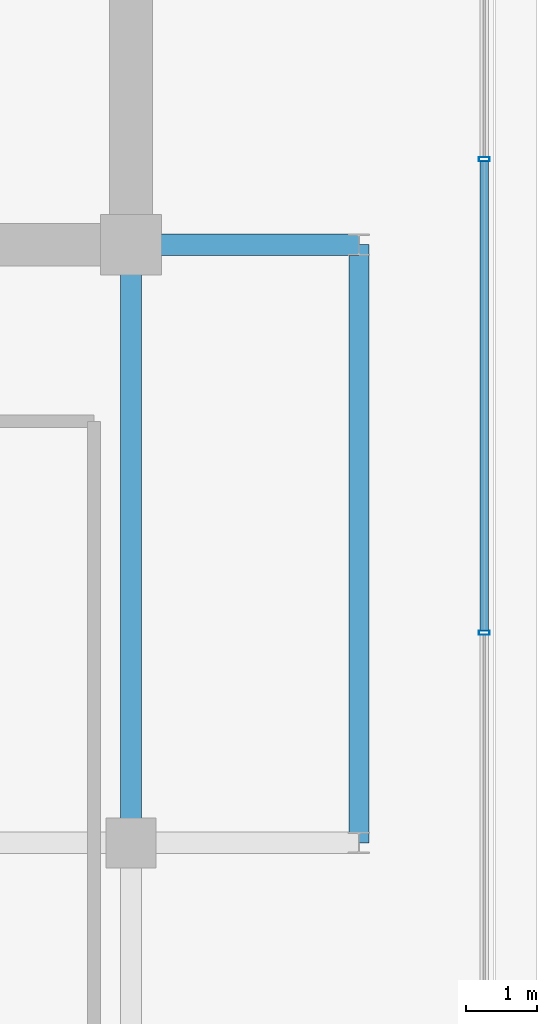
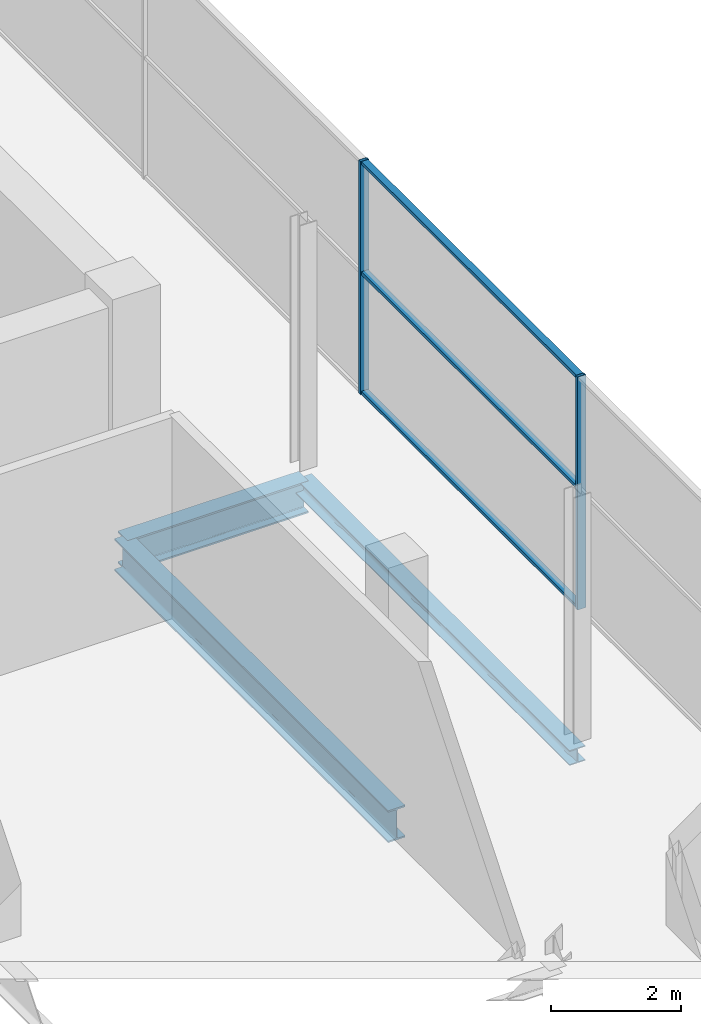
# One storey, part 16 of 26: 5 members, 3 beams, 1 element without a shape of its own.
"""IFC4 building model written with IfcOpenShell, lengths in metres."""

from ifc_helpers import new_model, si_unit, direction, frame, origin, origin_2d, place, context, subcontext, project, spatial, hollow_rectangle, i_section, extrude, source, transform, mapped, material, layer, layer_set, material_profile, profile_set, type_object, element, aggregate, save


model = new_model("IFC4")

# Units and contexts
model_context = context("Model", 3, precision=1e-05, world=origin(), true_north=direction((0.0, 1.0)))
body_context = subcontext(model_context, "Body", "Model", "MODEL_VIEW")
ifc_project = project(units=[si_unit("LENGTHUNIT", "METRE"), si_unit("AREAUNIT", "SQUARE_METRE"), si_unit("VOLUMEUNIT", "CUBIC_METRE"), si_unit("PLANEANGLEUNIT", "RADIAN"), si_unit("MASSUNIT", "GRAM", prefix="KILO")], contexts=[model_context])

# Site, building, storey
site_placement = place(None, origin())
site = spatial("IfcSite", under=ifc_project, at=site_placement, CompositionType="ELEMENT")
building_placement = place(site_placement, origin())
building = spatial("IfcBuilding", under=site, at=building_placement, Name="Zarnakvel Exchange Tower", CompositionType="ELEMENT")
storey_placement = place(building_placement, frame((0.0, 0.0, 280.800048828125)))
storey = spatial("IfcBuildingStorey", under=building, at=storey_placement, Name="Crown L79", CompositionType="ELEMENT", Elevation=280.800048828125)

# Beams
ifc_material_1 = material(Name="Steel S355", Category="steel")
ifc_material_profile_1 = material_profile(ifc_material_1, i_section(OverallWidth=0.300048828125, OverallDepth=0.60009765625, WebThickness=0.015380859375, FlangeThickness=0.030029296875, FilletRadius=0.027099609375, at=origin_2d()))
ifc_profile_set_1 = profile_set([ifc_material_profile_1], Name="Steel S355")
beam_type_1 = type_object("IfcBeamType", Name="G-04", PredefinedType="BEAM", material=ifc_profile_set_1)
beam_1_placement = place(storey_placement, frame((14.39990234375, -1.199951171875, -0.52001953125), z_axis=(1.0, 0.0, 0.0), x_axis=(0.0, 1.0, 0.0)))
element("IfcBeam", 1, at=beam_1_placement, inside=storey, type_object=beam_type_1, Name="Crown L79 Tower E-W Frame Beam", PredefinedType="BEAM", context=body_context, shape_type="SweptSolid", body=[
    extrude(i_section(OverallWidth=0.300048828125, OverallDepth=0.60009765625, WebThickness=0.015380859375, FlangeThickness=0.030029296875, FilletRadius=0.027099609375, at=origin_2d()), origin(), (0.0, 0.0, 1.0), 3.2001953125),
])
beam_2_placement = place(storey_placement, frame((14.39990234375, -9.60009765625, -0.52001953125), z_axis=(0.0, 1.0, 0.0), x_axis=(-1.0, 0.0, 0.0)))
element("IfcBeam", 2, at=beam_2_placement, inside=storey, type_object=beam_type_1, Name="Crown L79 Tower N-S Frame Beam", PredefinedType="BEAM", context=body_context, shape_type="SweptSolid", body=[
    extrude(i_section(OverallWidth=0.300048828125, OverallDepth=0.60009765625, WebThickness=0.015380859375, FlangeThickness=0.030029296875, FilletRadius=0.027099609375, at=origin_2d()), origin(), (0.0, 0.0, 1.0), 8.400146484375),
])
ifc_material_profile_2 = material_profile(ifc_material_1, i_section(OverallWidth=0.280029296875, OverallDepth=0.280029296875, WebThickness=0.010498046875, FlangeThickness=0.01806640625, FilletRadius=0.02392578125, at=origin_2d()))
ifc_profile_set_2 = profile_set([ifc_material_profile_2], Name="Steel S355")
beam_type_2 = type_object("IfcBeamType", Name="SP-04", PredefinedType="SPANDREL", material=ifc_profile_set_2)
beam_3_placement = place(storey_placement, frame((17.60009765625, -9.60009765625, -0.360107421875), z_axis=(0.0, 1.0, 0.0), x_axis=(-1.0, 0.0, 0.0)))
element("IfcBeam", 3, at=beam_3_placement, inside=storey, type_object=beam_type_2, Name="Crown L79 Tower N-S Frame Beam", PredefinedType="SPANDREL", context=body_context, shape_type="SweptSolid", body=[
    extrude(i_section(OverallWidth=0.280029296875, OverallDepth=0.280029296875, WebThickness=0.010498046875, FlangeThickness=0.01806640625, FilletRadius=0.02392578125, at=origin_2d()), origin(), (0.0, 0.0, 1.0), 8.400146484375),
])

# Curtain wall, members
ifc_material_2 = material(Name="Architectural Bronze Anodised Aluminium", Category="aluminium")
ifc_layer = layer(ifc_material_2, 0.14990234375)
ifc_layer_set = layer_set([ifc_layer], Name="Architectural Bronze Anodised Aluminium")
curtain_wall_type = type_object("IfcCurtainWallType", Name="CW-07", PredefinedType="NOTDEFINED", material=ifc_layer_set)
curtain_wall_placement = place(storey_placement, origin())
curtain_wall = element("IfcCurtainWall", 4, at=curtain_wall_placement, inside=storey, type_object=curtain_wall_type, Name="Crown L79 Curtain Wall CW-Crown L79-E (CW-07)", PredefinedType="NOTDEFINED")
ifc_material_profile_3 = material_profile(ifc_material_2, hollow_rectangle(XDim=0.14990234375, YDim=0.06005859375, WallThickness=0.00390625, at=origin_2d()))
ifc_profile_set_3 = profile_set([ifc_material_profile_3], Name="Architectural Bronze Anodised Aluminium")
member_type_1 = type_object("IfcMemberType", Name="CWM-07", PredefinedType="MULLION", material=ifc_profile_set_3)
shared_shape_1 = source(origin(), body_context, "Body", "SweptSolid", [
    extrude(hollow_rectangle(XDim=0.14990234375, YDim=0.06005859375, WallThickness=0.00390625, at=origin_2d()), origin(), (0.0, 0.0, 1.0), 4.35986328125),
])
member_1_placement = place(storey_placement, frame((19.360107421875, -6.64990234375, 0.0), z_axis=(0.0, 0.0, 1.0), x_axis=(-1.0, 0.0, 0.0)))
member_1 = element("IfcMember", 5, at=member_1_placement, type_object=member_type_1, Name="CW-07 mullion 2", PredefinedType="MULLION", context=body_context, shape_type="MappedRepresentation", body=[
    mapped(shared_shape_1, transform((0.0, 0.0, 0.0), x_axis=(1.0, 0.0, 0.0), y_axis=(0.0, 1.0, 0.0), z_axis=(0.0, 0.0, 1.0), scale=1.0)),
])
member_2_placement = place(storey_placement, frame((19.360107421875, 0.0, 0.0), z_axis=(0.0, 0.0, 1.0), x_axis=(-1.0, 0.0, 0.0)))
member_2 = element("IfcMember", 6, at=member_2_placement, type_object=member_type_1, Name="CW-07 mullion 3", PredefinedType="MULLION", context=body_context, shape_type="MappedRepresentation", body=[
    mapped(shared_shape_1, transform((0.0, 0.0, 0.0), x_axis=(1.0, 0.0, 0.0), y_axis=(0.0, 1.0, 0.0), z_axis=(0.0, 0.0, 1.0), scale=1.0)),
])
ifc_material_profile_4 = material_profile(ifc_material_2, hollow_rectangle(XDim=0.1201171875, YDim=0.06005859375, WallThickness=0.00390625, at=origin_2d()))
ifc_profile_set_4 = profile_set([ifc_material_profile_4], Name="Architectural Bronze Anodised Aluminium")
member_type_2 = type_object("IfcMemberType", Name="CWT-07", PredefinedType="USERDEFINED", material=ifc_profile_set_4)
shared_shape_2 = source(origin(), body_context, "Body", "SweptSolid", [
    extrude(hollow_rectangle(XDim=0.1201171875, YDim=0.06005859375, WallThickness=0.00390625, at=origin_2d()), origin(), (0.0, 0.0, 1.0), 6.590087890625),
])
member_3_placement = place(storey_placement, frame((19.360107421875, -6.6201171875, 0.030029296875), z_axis=(0.0, 1.0, 0.0), x_axis=(-1.0, 0.0, 0.0)))
member_3 = element("IfcMember", 7, at=member_3_placement, type_object=member_type_2, Name="CW-07 transom 2.1", ObjectType="TRANSOM", PredefinedType="USERDEFINED", context=body_context, shape_type="MappedRepresentation", body=[
    mapped(shared_shape_2, transform((0.0, 0.0, 0.0), x_axis=(1.0, 0.0, 0.0), y_axis=(0.0, 1.0, 0.0), z_axis=(0.0, 0.0, 1.0), scale=1.0)),
])
member_4_placement = place(storey_placement, frame((19.360107421875, -6.6201171875, 2.26708984375), z_axis=(0.0, 1.0, 0.0), x_axis=(-1.0, 0.0, 0.0)))
member_4 = element("IfcMember", 8, at=member_4_placement, type_object=member_type_2, Name="CW-07 transom 2.2", ObjectType="TRANSOM", PredefinedType="USERDEFINED", context=body_context, shape_type="MappedRepresentation", body=[
    mapped(shared_shape_2, transform((0.0, 0.0, 0.0), x_axis=(1.0, 0.0, 0.0), y_axis=(0.0, 1.0, 0.0), z_axis=(0.0, 0.0, 1.0), scale=1.0)),
])
member_5_placement = place(storey_placement, frame((19.360107421875, -6.6201171875, 4.329833984375), z_axis=(0.0, 1.0, 0.0), x_axis=(-1.0, 0.0, 0.0)))
member_5 = element("IfcMember", 9, at=member_5_placement, type_object=member_type_2, Name="CW-07 transom 2.3", ObjectType="TRANSOM", PredefinedType="USERDEFINED", context=body_context, shape_type="MappedRepresentation", body=[
    mapped(shared_shape_2, transform((0.0, 0.0, 0.0), x_axis=(1.0, 0.0, 0.0), y_axis=(0.0, 1.0, 0.0), z_axis=(0.0, 0.0, 1.0), scale=1.0)),
])
aggregate(curtain_wall, [member_1, member_2, member_3, member_4, member_5])

save(model, "model.ifc")
